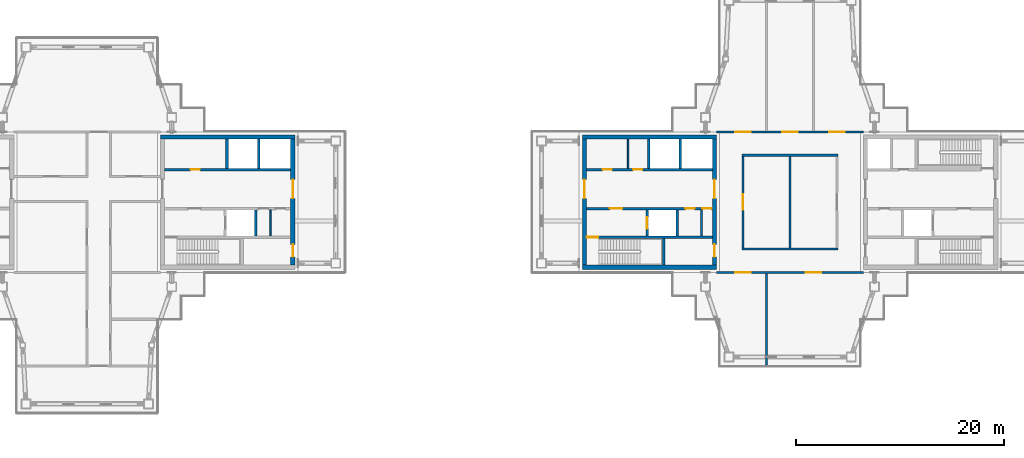
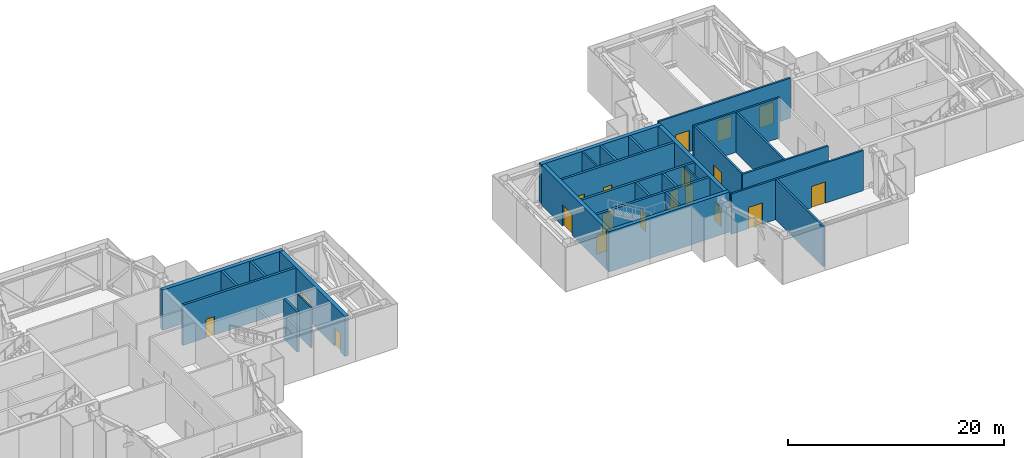
# One storey, part 8 of 18: 28 walls, 19 doors, 19 openings.
"""IFC4 building model written with IfcOpenShell, lengths in metres."""

from ifc_helpers import new_model, si_unit, direction, frame, frame_2d, origin, place, context, subcontext, project, spatial, rectangle, extrude, material, layer, layer_set, type_object, element, fill, save


model = new_model("IFC4")

# Units and contexts
model_context = context("Model", 3, precision=1e-05, world=origin(), true_north=direction((0.0, 1.0)))
body_context = subcontext(model_context, "Body", "Model", "MODEL_VIEW")
ifc_project = project(units=[si_unit("LENGTHUNIT", "METRE"), si_unit("AREAUNIT", "SQUARE_METRE"), si_unit("VOLUMEUNIT", "CUBIC_METRE"), si_unit("PLANEANGLEUNIT", "RADIAN"), si_unit("MASSUNIT", "GRAM", prefix="KILO")], contexts=[model_context])

# Site, building, storey
site_placement = place(None, origin())
site = spatial("IfcSite", under=ifc_project, at=site_placement, CompositionType="ELEMENT")
building_placement = place(site_placement, origin())
building = spatial("IfcBuilding", under=site, at=building_placement, Name="Shamsa Quay Exchange Towers", CompositionType="ELEMENT")
storey_placement = place(building_placement, frame((0.0, 0.0, 273.300048828125)))
storey = spatial("IfcBuildingStorey", under=building, at=storey_placement, Name="L66", CompositionType="ELEMENT", Elevation=273.300048828125)

# Wall
ifc_material_1 = material(Name="Concrete C60/75", Category="concrete")
ifc_layer_1 = layer(ifc_material_1, 0.39990234375)
ifc_layer_set_1 = layer_set([ifc_layer_1], Name="CORE WALL 400 C60/75")
wall_type_1 = type_object("IfcWallType", Name="CORE WALL 400 C60/75", PredefinedType="SHEAR", material=ifc_layer_set_1)
wall_1_placement = place(storey_placement, frame((-26.699951171875, 6.25, 0.0)))
element("IfcWall", 1, at=wall_1_placement, inside=storey, type_object=wall_type_1, Name="Core wall T1A-L66-PN", PredefinedType="SHEAR", context=body_context, shape_type="SweptSolid", body=[
    extrude(rectangle(XDim=12.89990234375, YDim=0.39990234375, at=frame_2d((6.449951171875, 0.0))), origin(), (0.0, 0.0, 1.0), 4.550048828125),
])

# Wall, openings, doors
wall_2_placement = place(storey_placement, frame((-14.0, 6.050048828125, 0.0), z_axis=(0.0, 0.0, 1.0), x_axis=(0.0, -1.0, 0.0)))
wall_2 = element("IfcWall", 2, at=wall_2_placement, inside=storey, type_object=wall_type_1, Name="Core wall T1A-L66-PB", PredefinedType="SHEAR", context=body_context, shape_type="SweptSolid", body=[
    extrude(rectangle(XDim=12.10009765625, YDim=0.39990234375, at=frame_2d((6.050048828125, 0.0))), origin(), (0.0, 0.0, 1.0), 4.550048828125),
])
opening_1_placement = place(wall_2_placement, frame((10.10009765625, 0.0, 0.0)))
opening_1 = element("IfcOpeningElement", 3, at=opening_1_placement, cuts=wall_2, Name="Opening T1A-L66-RD02", PredefinedType="OPENING", context=body_context, shape_type="SweptSolid", body=[
    extrude(rectangle(XDim=1.199951171875, YDim=2.10009765625, at=frame_2d((0.60009765625, 1.050048828125))), frame((0.0, 0.2099609375, 0.0), z_axis=(0.0, -1.0, 0.0), x_axis=(1.0, 0.0, 0.0)), (0.0, 0.0, 1.0), 0.419921875),
])
opening_2_placement = place(wall_2_placement, frame((3.89990234375, 0.0, 0.0)))
opening_2 = element("IfcOpeningElement", 4, at=opening_2_placement, cuts=wall_2, Name="Opening T1A-L66-LBD03", PredefinedType="OPENING", context=body_context, shape_type="SweptSolid", body=[
    extrude(rectangle(XDim=1.800048828125, YDim=2.39990234375, at=frame_2d((0.89990234375, 1.199951171875))), frame((0.0, 0.2099609375, 0.0), z_axis=(0.0, -1.0, 0.0), x_axis=(1.0, 0.0, 0.0)), (0.0, 0.0, 1.0), 0.419921875),
])
ifc_material_2 = material(Name="Steel, fire rated", Category="steel")
door_type_1 = type_object("IfcDoorType", Name="LIFT LOBBY DOOR PAIR 1800", OperationType="DOUBLE_DOOR_SINGLE_SWING", PredefinedType="DOOR", material=ifc_material_2)
door_1_placement = place(opening_2_placement, origin())
door_1 = element("IfcDoor", 5, at=door_1_placement, inside=storey, type_object=door_type_1, Name="T1A-L66-LBD03", OperationType="DOUBLE_DOOR_SINGLE_SWING", OverallHeight=2.39990234375, OverallWidth=1.800048828125, PredefinedType="DOOR", context=body_context, shape_type="SweptSolid", body=[
    extrude(rectangle(XDim=1.800048828125, YDim=2.39990234375, at=frame_2d((0.89990234375, 1.199951171875))), frame((0.0, 0.02490234375, 0.0), z_axis=(0.0, -1.0, 0.0), x_axis=(1.0, 0.0, 0.0)), (0.0, 0.0, 1.0), 0.050048828125),
])
fill(opening_2, door_1)
door_type_2 = type_object("IfcDoorType", Name="RISER ACCESS DOOR 1200", OperationType="SINGLE_SWING_LEFT", PredefinedType="DOOR", material=ifc_material_2)
door_2_placement = place(opening_1_placement, origin())
door_2 = element("IfcDoor", 6, at=door_2_placement, inside=storey, type_object=door_type_2, Name="T1A-L66-RD02", OperationType="SINGLE_SWING_RIGHT", OverallHeight=2.10009765625, OverallWidth=1.199951171875, PredefinedType="DOOR", context=body_context, shape_type="SweptSolid", body=[
    extrude(rectangle(XDim=1.199951171875, YDim=2.10009765625, at=frame_2d((0.60009765625, 1.050048828125))), frame((0.0, 0.02490234375, 0.0), z_axis=(0.0, -1.0, 0.0), x_axis=(1.0, 0.0, 0.0)), (0.0, 0.0, 1.0), 0.050048828125),
])
fill(opening_1, door_2)

# Walls
for number, where, name in (
    (7, (13.800048828125, -6.25, 0.0), "Core wall T2A-L66-PS"),
    (8, (13.800048828125, 6.25, 0.0), "Core wall T2A-L66-PN"),
):
    element("IfcWall", number, at=place(storey_placement, frame(where)), inside=storey, type_object=wall_type_1, Name=name, PredefinedType="SHEAR", context=body_context, shape_type="SweptSolid", body=[
        extrude(rectangle(XDim=12.89990234375, YDim=0.39990234375, at=frame_2d((6.449951171875, 0.0))), origin(), (0.0, 0.0, 1.0), 4.550048828125),
    ])

# Wall, opening, door
wall_3_placement = place(storey_placement, frame((14.0, 6.050048828125, 0.0), z_axis=(0.0, 0.0, 1.0), x_axis=(0.0, -1.0, 0.0)))
wall_3 = element("IfcWall", 9, at=wall_3_placement, inside=storey, type_object=wall_type_1, Name="Core wall T2A-L66-PF", PredefinedType="SHEAR", context=body_context, shape_type="SweptSolid", body=[
    extrude(rectangle(XDim=12.10009765625, YDim=0.39990234375, at=frame_2d((6.050048828125, 0.0))), origin(), (0.0, 0.0, 1.0), 4.550048828125),
])
opening_3_placement = place(wall_3_placement, frame((3.89990234375, 0.0, 0.0)))
opening_3 = element("IfcOpeningElement", 10, at=opening_3_placement, cuts=wall_3, Name="Opening T2A-L66-LBD01", PredefinedType="OPENING", context=body_context, shape_type="SweptSolid", body=[
    extrude(rectangle(XDim=1.800048828125, YDim=2.39990234375, at=frame_2d((0.89990234375, 1.199951171875))), frame((0.0, 0.2099609375, 0.0), z_axis=(0.0, -1.0, 0.0), x_axis=(1.0, 0.0, 0.0)), (0.0, 0.0, 1.0), 0.419921875),
])
door_3_placement = place(opening_3_placement, origin())
door_3 = element("IfcDoor", 11, at=door_3_placement, inside=storey, type_object=door_type_1, Name="T2A-L66-LBD01", OperationType="DOUBLE_DOOR_SINGLE_SWING", OverallHeight=2.39990234375, OverallWidth=1.800048828125, PredefinedType="DOOR", context=body_context, shape_type="SweptSolid", body=[
    extrude(rectangle(XDim=1.800048828125, YDim=2.39990234375, at=frame_2d((0.89990234375, 1.199951171875))), frame((0.0, 0.02490234375, 0.0), z_axis=(0.0, -1.0, 0.0), x_axis=(1.0, 0.0, 0.0)), (0.0, 0.0, 1.0), 0.050048828125),
])
fill(opening_3, door_3)

# Wall, openings, doors
wall_4_placement = place(storey_placement, frame((26.5, 6.050048828125, 0.0), z_axis=(0.0, 0.0, 1.0), x_axis=(0.0, -1.0, 0.0)))
wall_4 = element("IfcWall", 12, at=wall_4_placement, inside=storey, type_object=wall_type_1, Name="Core wall T2A-L66-PB", PredefinedType="SHEAR", context=body_context, shape_type="SweptSolid", body=[
    extrude(rectangle(XDim=12.10009765625, YDim=0.39990234375, at=frame_2d((6.050048828125, 0.0))), origin(), (0.0, 0.0, 1.0), 4.550048828125),
])
opening_4_placement = place(wall_4_placement, frame((10.10009765625, 0.0, 0.0)))
opening_4 = element("IfcOpeningElement", 13, at=opening_4_placement, cuts=wall_4, Name="Opening T2A-L66-RD02", PredefinedType="OPENING", context=body_context, shape_type="SweptSolid", body=[
    extrude(rectangle(XDim=1.199951171875, YDim=2.10009765625, at=frame_2d((0.60009765625, 1.050048828125))), frame((0.0, 0.2099609375, 0.0), z_axis=(0.0, -1.0, 0.0), x_axis=(1.0, 0.0, 0.0)), (0.0, 0.0, 1.0), 0.419921875),
])
opening_5_placement = place(wall_4_placement, frame((3.89990234375, 0.0, 0.0)))
opening_5 = element("IfcOpeningElement", 14, at=opening_5_placement, cuts=wall_4, Name="Opening T2A-L66-LBD03", PredefinedType="OPENING", context=body_context, shape_type="SweptSolid", body=[
    extrude(rectangle(XDim=1.800048828125, YDim=2.39990234375, at=frame_2d((0.89990234375, 1.199951171875))), frame((0.0, 0.2099609375, 0.0), z_axis=(0.0, -1.0, 0.0), x_axis=(1.0, 0.0, 0.0)), (0.0, 0.0, 1.0), 0.419921875),
])
door_4_placement = place(opening_5_placement, origin())
door_4 = element("IfcDoor", 15, at=door_4_placement, inside=storey, type_object=door_type_1, Name="T2A-L66-LBD03", OperationType="DOUBLE_DOOR_SINGLE_SWING", OverallHeight=2.39990234375, OverallWidth=1.800048828125, PredefinedType="DOOR", context=body_context, shape_type="SweptSolid", body=[
    extrude(rectangle(XDim=1.800048828125, YDim=2.39990234375, at=frame_2d((0.89990234375, 1.199951171875))), frame((0.0, 0.02490234375, 0.0), z_axis=(0.0, -1.0, 0.0), x_axis=(1.0, 0.0, 0.0)), (0.0, 0.0, 1.0), 0.050048828125),
])
fill(opening_5, door_4)
door_5_placement = place(opening_4_placement, origin())
door_5 = element("IfcDoor", 16, at=door_5_placement, inside=storey, type_object=door_type_2, Name="T2A-L66-RD02", OperationType="SINGLE_SWING_RIGHT", OverallHeight=2.10009765625, OverallWidth=1.199951171875, PredefinedType="DOOR", context=body_context, shape_type="SweptSolid", body=[
    extrude(rectangle(XDim=1.199951171875, YDim=2.10009765625, at=frame_2d((0.60009765625, 1.050048828125))), frame((0.0, 0.02490234375, 0.0), z_axis=(0.0, -1.0, 0.0), x_axis=(1.0, 0.0, 0.0)), (0.0, 0.0, 1.0), 0.050048828125),
])
fill(opening_4, door_5)

# Walls
ifc_material_3 = material(Name="Gypsum board on steel studs, EI 60", Category="steel")
ifc_layer_2 = layer(ifc_material_3, 0.14990234375)
ifc_layer_set_2 = layer_set([ifc_layer_2], Name="FIRE PARTITION 150")
wall_type_2 = type_object("IfcWallType", Name="FIRE PARTITION 150", PredefinedType="PARTITIONING", material=ifc_layer_set_2)
for number, where, z_axis, x_axis, name in (
    (17, (-16.14990234375, -3.25, 0.0), (0.0, 0.0, 1.0), (0.0, 1.0, 0.0), "Partition T1A-L66-EC0"),
    (18, (25.25, -3.25, 0.0), (0.0, 0.0, 1.0), (0.0, 1.0, 0.0), "Partition T2A-L66-EC0"),
):
    element("IfcWall", number, at=place(storey_placement, frame(where, z_axis=z_axis, x_axis=x_axis)), inside=storey, type_object=wall_type_2, Name=name, PredefinedType="PARTITIONING", context=body_context, shape_type="SweptSolid", body=[
        extrude(rectangle(XDim=2.5, YDim=0.14990234375, at=frame_2d((1.25, 0.0))), origin(), (0.0, 0.0, 1.0), 4.550048828125),
    ])
wall_5_placement = place(storey_placement, frame((18.199951171875, 3.25, 0.0), z_axis=(0.0, 0.0, 1.0), x_axis=(0.0, 1.0, 0.0)))
element("IfcWall", 19, at=wall_5_placement, inside=storey, type_object=wall_type_2, Name="Partition T2A-L66-FC0", PredefinedType="PARTITIONING", context=body_context, shape_type="SweptSolid", body=[
    extrude(rectangle(XDim=2.800048828125, YDim=0.14990234375, at=frame_2d((1.39990234375, 0.0))), origin(), (0.0, 0.0, 1.0), 4.550048828125),
])
ifc_material_4 = material(Name="Gypsum board partition on metal studs")
ifc_layer_3 = layer(ifc_material_4, 0.199951171875)
ifc_layer_set_3 = layer_set([ifc_layer_3], Name="Partition 200 mm EI 120")
wall_type_3 = type_object("IfcWallType", Name="Partition 200 mm EI 120", PredefinedType="PARTITIONING", material=ifc_layer_set_3)
wall_6_placement = place(storey_placement, frame((29.14990234375, -4.5, 0.0)))
element("IfcWall", 20, at=wall_6_placement, inside=storey, type_object=wall_type_3, Name="Partition T2-L66-W02", PredefinedType="PARTITIONING", context=body_context, shape_type="SweptSolid", body=[
    extrude(rectangle(XDim=9.2001953125, YDim=0.199951171875, at=frame_2d((4.60009765625, 0.0))), origin(), (0.0, 0.0, 1.0), 4.550048828125),
])
wall_7_placement = place(storey_placement, frame((38.35009765625, 4.5, 0.0), z_axis=(0.0, 0.0, 1.0), x_axis=(-1.0, 0.0, 0.0)))
element("IfcWall", 21, at=wall_7_placement, inside=storey, type_object=wall_type_3, Name="Partition T2-L66-W03", PredefinedType="PARTITIONING", context=body_context, shape_type="SweptSolid", body=[
    extrude(rectangle(XDim=9.2001953125, YDim=0.199951171875, at=frame_2d((4.60009765625, 0.0))), origin(), (0.0, 0.0, 1.0), 4.550048828125),
])

# Wall, opening, door
wall_8_placement = place(storey_placement, frame((29.25, 4.39990234375, 0.0), z_axis=(0.0, 0.0, 1.0), x_axis=(0.0, -1.0, 0.0)))
wall_8 = element("IfcWall", 22, at=wall_8_placement, inside=storey, type_object=wall_type_3, Name="Partition T2-L66-W04", PredefinedType="PARTITIONING", context=body_context, shape_type="SweptSolid", body=[
    extrude(rectangle(XDim=8.7998046875, YDim=0.199951171875, at=frame_2d((4.39990234375, 0.0))), origin(), (0.0, 0.0, 1.0), 4.550048828125),
])
opening_6_placement = place(wall_8_placement, frame((3.64990234375, 0.0, 0.0)))
opening_6 = element("IfcOpeningElement", 23, at=opening_6_placement, cuts=wall_8, Name="Opening T2-L66-D05", PredefinedType="OPENING", context=body_context, shape_type="SweptSolid", body=[
    extrude(rectangle(XDim=1.5, YDim=2.39990234375, at=frame_2d((0.75, 1.199951171875))), frame((0.0, 0.10986328125, 0.0), z_axis=(0.0, -1.0, 0.0), x_axis=(1.0, 0.0, 0.0)), (0.0, 0.0, 1.0), 0.219970703125),
])
ifc_material_5 = material(Name="Timber door leaf in a metal frame", Category="wood")
door_type_3 = type_object("IfcDoorType", Name="Door 1500x2400 FD60 pair", OperationType="NOTDEFINED", PredefinedType="DOOR", material=ifc_material_5)
door_6_placement = place(opening_6_placement, origin())
door_6 = element("IfcDoor", 24, at=door_6_placement, inside=storey, type_object=door_type_3, Name="Door T2-L66-D05", OperationType="DOUBLE_DOOR_SINGLE_SWING", OverallHeight=2.39990234375, OverallWidth=1.5, PredefinedType="DOOR", context=body_context, shape_type="SweptSolid", body=[
    extrude(rectangle(XDim=1.5, YDim=2.39990234375, at=frame_2d((0.75, 1.199951171875))), frame((0.0, 0.02490234375, 0.0), z_axis=(0.0, -1.0, 0.0), x_axis=(1.0, 0.0, 0.0)), (0.0, 0.0, 1.0), 0.050048828125),
])
fill(opening_6, door_6)

# Wall, openings, doors
wall_9_placement = place(storey_placement, frame((26.699951171875, 6.75, 0.0)))
wall_9 = element("IfcWall", 25, at=wall_9_placement, inside=storey, type_object=wall_type_3, Name="Partition T2-L66-W05", PredefinedType="PARTITIONING", context=body_context, shape_type="SweptSolid", body=[
    extrude(rectangle(XDim=14.10009765625, YDim=0.199951171875, at=frame_2d((7.050048828125, 0.0))), origin(), (0.0, 0.0, 1.0), 4.550048828125),
])
opening_7_placement = place(wall_9_placement, frame((10.800048828125, 0.0, 0.0)))
opening_7 = element("IfcOpeningElement", 26, at=opening_7_placement, cuts=wall_9, Name="Opening T2-L66-D01", PredefinedType="OPENING", context=body_context, shape_type="SweptSolid", body=[
    extrude(rectangle(XDim=1.5, YDim=2.39990234375, at=frame_2d((0.75, 1.199951171875))), frame((0.0, 0.10986328125, 0.0), z_axis=(0.0, -1.0, 0.0), x_axis=(1.0, 0.0, 0.0)), (0.0, 0.0, 1.0), 0.219970703125),
])
opening_8_placement = place(wall_9_placement, frame((6.300048828125, 0.0, 0.0)))
opening_8 = element("IfcOpeningElement", 27, at=opening_8_placement, cuts=wall_9, Name="Opening T2-L66-D02", PredefinedType="OPENING", context=body_context, shape_type="SweptSolid", body=[
    extrude(rectangle(XDim=1.5, YDim=2.39990234375, at=frame_2d((0.75, 1.199951171875))), frame((0.0, 0.10986328125, 0.0), z_axis=(0.0, -1.0, 0.0), x_axis=(1.0, 0.0, 0.0)), (0.0, 0.0, 1.0), 0.219970703125),
])
opening_9_placement = place(wall_9_placement, frame((1.800048828125, 0.0, 0.0)))
opening_9 = element("IfcOpeningElement", 28, at=opening_9_placement, cuts=wall_9, Name="Opening T2-L66-D03", PredefinedType="OPENING", context=body_context, shape_type="SweptSolid", body=[
    extrude(rectangle(XDim=1.5, YDim=2.39990234375, at=frame_2d((0.75, 1.199951171875))), frame((0.0, 0.10986328125, 0.0), z_axis=(0.0, -1.0, 0.0), x_axis=(1.0, 0.0, 0.0)), (0.0, 0.0, 1.0), 0.219970703125),
])
door_7_placement = place(opening_7_placement, origin())
door_7 = element("IfcDoor", 29, at=door_7_placement, inside=storey, type_object=door_type_3, Name="Door T2-L66-D01", OperationType="DOUBLE_DOOR_SINGLE_SWING", OverallHeight=2.39990234375, OverallWidth=1.5, PredefinedType="DOOR", context=body_context, shape_type="SweptSolid", body=[
    extrude(rectangle(XDim=1.5, YDim=2.39990234375, at=frame_2d((0.75, 1.199951171875))), frame((0.0, 0.02490234375, 0.0), z_axis=(0.0, -1.0, 0.0), x_axis=(1.0, 0.0, 0.0)), (0.0, 0.0, 1.0), 0.050048828125),
])
fill(opening_7, door_7)
door_8_placement = place(opening_8_placement, origin())
door_8 = element("IfcDoor", 30, at=door_8_placement, inside=storey, type_object=door_type_3, Name="Door T2-L66-D02", OperationType="DOUBLE_DOOR_SINGLE_SWING", OverallHeight=2.39990234375, OverallWidth=1.5, PredefinedType="DOOR", context=body_context, shape_type="SweptSolid", body=[
    extrude(rectangle(XDim=1.5, YDim=2.39990234375, at=frame_2d((0.75, 1.199951171875))), frame((0.0, 0.02490234375, 0.0), z_axis=(0.0, -1.0, 0.0), x_axis=(1.0, 0.0, 0.0)), (0.0, 0.0, 1.0), 0.050048828125),
])
fill(opening_8, door_8)
door_9_placement = place(opening_9_placement, origin())
door_9 = element("IfcDoor", 31, at=door_9_placement, inside=storey, type_object=door_type_3, Name="Door T2-L66-D03", OperationType="DOUBLE_DOOR_SINGLE_SWING", OverallHeight=2.39990234375, OverallWidth=1.5, PredefinedType="DOOR", context=body_context, shape_type="SweptSolid", body=[
    extrude(rectangle(XDim=1.5, YDim=2.39990234375, at=frame_2d((0.75, 1.199951171875))), frame((0.0, 0.02490234375, 0.0), z_axis=(0.0, -1.0, 0.0), x_axis=(1.0, 0.0, 0.0)), (0.0, 0.0, 1.0), 0.050048828125),
])
fill(opening_9, door_9)

wall_10_placement = place(storey_placement, frame((40.800048828125, -6.75, 0.0), z_axis=(0.0, 0.0, 1.0), x_axis=(-1.0, 0.0, 0.0)))
wall_10 = element("IfcWall", 32, at=wall_10_placement, inside=storey, type_object=wall_type_3, Name="Partition T2-L66-W06", PredefinedType="PARTITIONING", context=body_context, shape_type="SweptSolid", body=[
    extrude(rectangle(XDim=14.10009765625, YDim=0.199951171875, at=frame_2d((7.050048828125, 0.0))), origin(), (0.0, 0.0, 1.0), 4.550048828125),
])
opening_10_placement = place(wall_10_placement, frame((10.800048828125, 0.0, 0.0)))
opening_10 = element("IfcOpeningElement", 33, at=opening_10_placement, cuts=wall_10, Name="Opening T2-L66-D06", PredefinedType="OPENING", context=body_context, shape_type="SweptSolid", body=[
    extrude(rectangle(XDim=1.5, YDim=2.39990234375, at=frame_2d((0.75, 1.199951171875))), frame((0.0, 0.10986328125, 0.0), z_axis=(0.0, -1.0, 0.0), x_axis=(1.0, 0.0, 0.0)), (0.0, 0.0, 1.0), 0.219970703125),
])
opening_11_placement = place(wall_10_placement, frame((4.050048828125, 0.0, 0.0)))
opening_11 = element("IfcOpeningElement", 34, at=opening_11_placement, cuts=wall_10, Name="Opening T2-L66-D07", PredefinedType="OPENING", context=body_context, shape_type="SweptSolid", body=[
    extrude(rectangle(XDim=1.5, YDim=2.39990234375, at=frame_2d((0.75, 1.199951171875))), frame((0.0, 0.10986328125, 0.0), z_axis=(0.0, -1.0, 0.0), x_axis=(1.0, 0.0, 0.0)), (0.0, 0.0, 1.0), 0.219970703125),
])
door_10_placement = place(opening_10_placement, origin())
door_10 = element("IfcDoor", 35, at=door_10_placement, inside=storey, type_object=door_type_3, Name="Door T2-L66-D06", OperationType="DOUBLE_DOOR_SINGLE_SWING", OverallHeight=2.39990234375, OverallWidth=1.5, PredefinedType="DOOR", context=body_context, shape_type="SweptSolid", body=[
    extrude(rectangle(XDim=1.5, YDim=2.39990234375, at=frame_2d((0.75, 1.199951171875))), frame((0.0, 0.02490234375, 0.0), z_axis=(0.0, -1.0, 0.0), x_axis=(1.0, 0.0, 0.0)), (0.0, 0.0, 1.0), 0.050048828125),
])
fill(opening_10, door_10)
door_11_placement = place(opening_11_placement, origin())
door_11 = element("IfcDoor", 36, at=door_11_placement, inside=storey, type_object=door_type_3, Name="Door T2-L66-D07", OperationType="DOUBLE_DOOR_SINGLE_SWING", OverallHeight=2.39990234375, OverallWidth=1.5, PredefinedType="DOOR", context=body_context, shape_type="SweptSolid", body=[
    extrude(rectangle(XDim=1.5, YDim=2.39990234375, at=frame_2d((0.75, 1.199951171875))), frame((0.0, 0.02490234375, 0.0), z_axis=(0.0, -1.0, 0.0), x_axis=(1.0, 0.0, 0.0)), (0.0, 0.0, 1.0), 0.050048828125),
])
fill(opening_11, door_11)

# Walls
wall_11_placement = place(storey_placement, frame((33.75, 4.39990234375, 0.0), z_axis=(0.0, 0.0, 1.0), x_axis=(0.0, -1.0, 0.0)))
element("IfcWall", 37, at=wall_11_placement, inside=storey, type_object=wall_type_3, Name="Partition T2-L66-W07", PredefinedType="PARTITIONING", context=body_context, shape_type="SweptSolid", body=[
    extrude(rectangle(XDim=8.7998046875, YDim=0.199951171875, at=frame_2d((4.39990234375, 0.0))), origin(), (0.0, 0.0, 1.0), 4.550048828125),
])
wall_12_placement = place(storey_placement, frame((31.5, -6.85009765625, 0.0), z_axis=(0.0, 0.0, 1.0), x_axis=(0.0, -1.0, 0.0)))
element("IfcWall", 38, at=wall_12_placement, inside=storey, type_object=wall_type_3, Name="Partition T2-L66-W09", PredefinedType="PARTITIONING", context=body_context, shape_type="SweptSolid", body=[
    extrude(rectangle(XDim=8.804931640625, YDim=0.199951171875, at=frame_2d((4.40234375, 0.0))), origin(), (0.0, 0.0, 1.0), 4.550048828125),
])
ifc_material_6 = material(Name="Concrete C50/60", Category="concrete")
ifc_layer_4 = layer(ifc_material_6, 0.25)
ifc_layer_set_4 = layer_set([ifc_layer_4], Name="SHAFT WALL 250 C50/60")
wall_type_4 = type_object("IfcWallType", Name="SHAFT WALL 250 C50/60", PredefinedType="SHEAR", material=ifc_layer_set_4)
wall_13_placement = place(storey_placement, frame((-17.574951171875, -3.25, 0.0), z_axis=(0.0, 0.0, 1.0), x_axis=(0.0, 1.0, 0.0)))
element("IfcWall", 39, at=wall_13_placement, inside=storey, type_object=wall_type_4, Name="Shaft wall T1A-L66-FFB", PredefinedType="SHEAR", context=body_context, shape_type="SweptSolid", body=[
    extrude(rectangle(XDim=2.5, YDim=0.25, at=frame_2d((1.25, 0.0))), origin(), (0.0, 0.0, 1.0), 4.550048828125),
])

# Wall, opening, door
wall_14_placement = place(storey_placement, frame((-26.300048828125, 3.125, 0.0)))
wall_14 = element("IfcWall", 40, at=wall_14_placement, inside=storey, type_object=wall_type_4, Name="Shaft wall T1A-L66-N", PredefinedType="SHEAR", context=body_context, shape_type="SweptSolid", body=[
    extrude(rectangle(XDim=12.10009765625, YDim=0.25, at=frame_2d((6.050048828125, 0.0))), origin(), (0.0, 0.0, 1.0), 4.550048828125),
])
opening_12_placement = place(wall_14_placement, frame((2.47509765625, 0.0, 0.0)))
opening_12 = element("IfcOpeningElement", 41, at=opening_12_placement, cuts=wall_14, Name="Opening T1A-L66-SV09", PredefinedType="OPENING", context=body_context, shape_type="SweptSolid", body=[
    extrude(rectangle(XDim=0.89990234375, YDim=2.10009765625, at=frame_2d((0.449951171875, 1.050048828125))), frame((0.0, 0.135009765625, 0.0), z_axis=(0.0, -1.0, 0.0), x_axis=(1.0, 0.0, 0.0)), (0.0, 0.0, 1.0), 0.27001953125),
])
door_type_4 = type_object("IfcDoorType", Name="SERVICE ROOM DOOR 900", OperationType="SINGLE_SWING_LEFT", PredefinedType="DOOR", material=ifc_material_2)
door_12_placement = place(opening_12_placement, origin())
door_12 = element("IfcDoor", 42, at=door_12_placement, inside=storey, type_object=door_type_4, Name="T1A-L66-SV09", OperationType="SINGLE_SWING_LEFT", OverallHeight=2.10009765625, OverallWidth=0.89990234375, PredefinedType="DOOR", context=body_context, shape_type="SweptSolid", body=[
    extrude(rectangle(XDim=0.89990234375, YDim=2.10009765625, at=frame_2d((0.449951171875, 1.050048828125))), frame((0.0, 0.02490234375, 0.0), z_axis=(0.0, -1.0, 0.0), x_axis=(1.0, 0.0, 0.0)), (0.0, 0.0, 1.0), 0.050048828125),
])
fill(opening_12, door_12)

# Walls
for number, where, z_axis, x_axis, name in (
    (43, (-20.324951171875, 3.25, 0.0), (0.0, 0.0, 1.0), (0.0, 1.0, 0.0), "Shaft wall T1A-L66-D1"),
    (44, (-17.27490234375, 3.25, 0.0), (0.0, 0.0, 1.0), (0.0, 1.0, 0.0), "Shaft wall T1A-L66-D2"),
):
    element("IfcWall", number, at=place(storey_placement, frame(where, z_axis=z_axis, x_axis=x_axis)), inside=storey, type_object=wall_type_4, Name=name, PredefinedType="SHEAR", context=body_context, shape_type="SweptSolid", body=[
        extrude(rectangle(XDim=2.800048828125, YDim=0.25, at=frame_2d((1.39990234375, 0.0))), origin(), (0.0, 0.0, 1.0), 4.550048828125),
    ])

# Wall, opening, door
wall_15_placement = place(storey_placement, frame((26.300048828125, -3.375, 0.0), z_axis=(0.0, 0.0, 1.0), x_axis=(-1.0, 0.0, 0.0)))
wall_15 = element("IfcWall", 45, at=wall_15_placement, inside=storey, type_object=wall_type_4, Name="Shaft wall T2A-L66-STL", PredefinedType="SHEAR", context=body_context, shape_type="SweptSolid", body=[
    extrude(rectangle(XDim=12.10009765625, YDim=0.25, at=frame_2d((6.050048828125, 0.0))), origin(), (0.0, 0.0, 1.0), 4.550048828125),
])
opening_13_placement = place(wall_15_placement, frame((10.949951171875, 0.0, 0.0)))
opening_13 = element("IfcOpeningElement", 46, at=opening_13_placement, cuts=wall_15, Name="Opening T2A-L66-SD04", PredefinedType="OPENING", context=body_context, shape_type="SweptSolid", body=[
    extrude(rectangle(XDim=1.10009765625, YDim=2.10009765625, at=frame_2d((0.550048828125, 1.050048828125))), frame((0.0, 0.135009765625, 0.0), z_axis=(0.0, -1.0, 0.0), x_axis=(1.0, 0.0, 0.0)), (0.0, 0.0, 1.0), 0.27001953125),
])
door_type_5 = type_object("IfcDoorType", Name="STAIR DOOR 1100", OperationType="SINGLE_SWING_LEFT", PredefinedType="DOOR", material=ifc_material_2)
door_13_placement = place(opening_13_placement, origin())
door_13 = element("IfcDoor", 47, at=door_13_placement, inside=storey, type_object=door_type_5, Name="T2A-L66-SD04", OperationType="SINGLE_SWING_RIGHT", OverallHeight=2.10009765625, OverallWidth=1.10009765625, PredefinedType="DOOR", context=body_context, shape_type="SweptSolid", body=[
    extrude(rectangle(XDim=1.10009765625, YDim=2.10009765625, at=frame_2d((0.550048828125, 1.050048828125))), frame((0.0, 0.02490234375, 0.0), z_axis=(0.0, -1.0, 0.0), x_axis=(1.0, 0.0, 0.0)), (0.0, 0.0, 1.0), 0.050048828125),
])
fill(opening_13, door_13)

# Wall
wall_16_placement = place(storey_placement, frame((21.625, -6.050048828125, 0.0), z_axis=(0.0, 0.0, 1.0), x_axis=(0.0, 1.0, 0.0)))
element("IfcWall", 48, at=wall_16_placement, inside=storey, type_object=wall_type_4, Name="Shaft wall T2A-L66-STF", PredefinedType="SHEAR", context=body_context, shape_type="SweptSolid", body=[
    extrude(rectangle(XDim=2.550048828125, YDim=0.25, at=frame_2d((1.27490234375, 0.0))), origin(), (0.0, 0.0, 1.0), 4.550048828125),
])

# Wall, openings, doors
wall_17_placement = place(storey_placement, frame((26.300048828125, -0.625, 0.0), z_axis=(0.0, 0.0, 1.0), x_axis=(-1.0, 0.0, 0.0)))
wall_17 = element("IfcWall", 49, at=wall_17_placement, inside=storey, type_object=wall_type_4, Name="Shaft wall T2A-L66-B", PredefinedType="SHEAR", context=body_context, shape_type="SweptSolid", body=[
    extrude(rectangle(XDim=12.10009765625, YDim=0.25, at=frame_2d((6.050048828125, 0.0))), origin(), (0.0, 0.0, 1.0), 4.550048828125),
])
opening_14_placement = place(wall_17_placement, frame((8.64990234375, 0.0, 0.0)))
opening_14 = element("IfcOpeningElement", 50, at=opening_14_placement, cuts=wall_17, Name="Opening T2A-L66-FD05", PredefinedType="OPENING", context=body_context, shape_type="SweptSolid", body=[
    extrude(rectangle(XDim=1.199951171875, YDim=2.10009765625, at=frame_2d((0.60009765625, 1.050048828125))), frame((0.0, 0.135009765625, 0.0), z_axis=(0.0, -1.0, 0.0), x_axis=(1.0, 0.0, 0.0)), (0.0, 0.0, 1.0), 0.27001953125),
])
opening_15_placement = place(wall_17_placement, frame((1.699951171875, 0.0, 0.0)))
opening_15 = element("IfcOpeningElement", 51, at=opening_15_placement, cuts=wall_17, Name="Opening T2A-L66-SV06", PredefinedType="OPENING", context=body_context, shape_type="SweptSolid", body=[
    extrude(rectangle(XDim=0.89990234375, YDim=2.10009765625, at=frame_2d((0.449951171875, 1.050048828125))), frame((0.0, 0.135009765625, 0.0), z_axis=(0.0, -1.0, 0.0), x_axis=(1.0, 0.0, 0.0)), (0.0, 0.0, 1.0), 0.27001953125),
])
opening_16_placement = place(wall_17_placement, frame((0.074951171875, 0.0, 0.0)))
opening_16 = element("IfcOpeningElement", 52, at=opening_16_placement, cuts=wall_17, Name="Opening T2A-L66-SV07", PredefinedType="OPENING", context=body_context, shape_type="SweptSolid", body=[
    extrude(rectangle(XDim=0.89990234375, YDim=2.10009765625, at=frame_2d((0.449951171875, 1.050048828125))), frame((0.0, 0.135009765625, 0.0), z_axis=(0.0, -1.0, 0.0), x_axis=(1.0, 0.0, 0.0)), (0.0, 0.0, 1.0), 0.27001953125),
])
door_type_6 = type_object("IfcDoorType", Name="FIRE SERVICE LOBBY DOOR 1200", OperationType="SINGLE_SWING_LEFT", PredefinedType="DOOR", material=ifc_material_2)
door_14_placement = place(opening_14_placement, origin())
door_14 = element("IfcDoor", 53, at=door_14_placement, inside=storey, type_object=door_type_6, Name="T2A-L66-FD05", OperationType="SINGLE_SWING_RIGHT", OverallHeight=2.10009765625, OverallWidth=1.199951171875, PredefinedType="DOOR", context=body_context, shape_type="SweptSolid", body=[
    extrude(rectangle(XDim=1.199951171875, YDim=2.10009765625, at=frame_2d((0.60009765625, 1.050048828125))), frame((0.0, 0.02490234375, 0.0), z_axis=(0.0, -1.0, 0.0), x_axis=(1.0, 0.0, 0.0)), (0.0, 0.0, 1.0), 0.050048828125),
])
fill(opening_14, door_14)
door_15_placement = place(opening_15_placement, origin())
door_15 = element("IfcDoor", 54, at=door_15_placement, inside=storey, type_object=door_type_4, Name="T2A-L66-SV06", OperationType="SINGLE_SWING_LEFT", OverallHeight=2.10009765625, OverallWidth=0.89990234375, PredefinedType="DOOR", context=body_context, shape_type="SweptSolid", body=[
    extrude(rectangle(XDim=0.89990234375, YDim=2.10009765625, at=frame_2d((0.449951171875, 1.050048828125))), frame((0.0, 0.02490234375, 0.0), z_axis=(0.0, -1.0, 0.0), x_axis=(1.0, 0.0, 0.0)), (0.0, 0.0, 1.0), 0.050048828125),
])
fill(opening_15, door_15)
door_16_placement = place(opening_16_placement, origin())
door_16 = element("IfcDoor", 55, at=door_16_placement, inside=storey, type_object=door_type_4, Name="T2A-L66-SV07", OperationType="SINGLE_SWING_LEFT", OverallHeight=2.10009765625, OverallWidth=0.89990234375, PredefinedType="DOOR", context=body_context, shape_type="SweptSolid", body=[
    extrude(rectangle(XDim=0.89990234375, YDim=2.10009765625, at=frame_2d((0.449951171875, 1.050048828125))), frame((0.0, 0.02490234375, 0.0), z_axis=(0.0, -1.0, 0.0), x_axis=(1.0, 0.0, 0.0)), (0.0, 0.0, 1.0), 0.050048828125),
])
fill(opening_16, door_16)

# Wall, opening, door
wall_18_placement = place(storey_placement, frame((20.02490234375, -3.25, 0.0), z_axis=(0.0, 0.0, 1.0), x_axis=(0.0, 1.0, 0.0)))
wall_18 = element("IfcWall", 56, at=wall_18_placement, inside=storey, type_object=wall_type_4, Name="Shaft wall T2A-L66-FFF", PredefinedType="SHEAR", context=body_context, shape_type="SweptSolid", body=[
    extrude(rectangle(XDim=2.5, YDim=0.25, at=frame_2d((1.25, 0.0))), origin(), (0.0, 0.0, 1.0), 4.550048828125),
])
opening_17_placement = place(wall_18_placement, frame((0.699951171875, 0.0, 0.0)))
opening_17 = element("IfcOpeningElement", 57, at=opening_17_placement, cuts=wall_18, Name="Opening T2A-L66-LDF08", PredefinedType="OPENING", context=body_context, shape_type="SweptSolid", body=[
    extrude(rectangle(XDim=1.10009765625, YDim=2.10009765625, at=frame_2d((0.550048828125, 1.050048828125))), frame((0.0, 0.135009765625, 0.0), z_axis=(0.0, -1.0, 0.0), x_axis=(1.0, 0.0, 0.0)), (0.0, 0.0, 1.0), 0.27001953125),
])
door_type_7 = type_object("IfcDoorType", Name="FIRE SERVICE LANDING DOOR 1100", OperationType="SLIDING_TO_LEFT", PredefinedType="DOOR", material=ifc_material_2)
door_17_placement = place(opening_17_placement, origin())
door_17 = element("IfcDoor", 58, at=door_17_placement, inside=storey, type_object=door_type_7, Name="T2A-L66-LDF08", OperationType="SLIDING_TO_LEFT", OverallHeight=2.10009765625, OverallWidth=1.10009765625, PredefinedType="DOOR", context=body_context, shape_type="SweptSolid", body=[
    extrude(rectangle(XDim=1.10009765625, YDim=2.10009765625, at=frame_2d((0.550048828125, 1.050048828125))), frame((0.0, 0.02490234375, 0.0), z_axis=(0.0, -1.0, 0.0), x_axis=(1.0, 0.0, 0.0)), (0.0, 0.0, 1.0), 0.050048828125),
])
fill(opening_17, door_17)

# Wall
wall_19_placement = place(storey_placement, frame((22.925048828125, -3.25, 0.0), z_axis=(0.0, 0.0, 1.0), x_axis=(0.0, 1.0, 0.0)))
element("IfcWall", 59, at=wall_19_placement, inside=storey, type_object=wall_type_4, Name="Shaft wall T2A-L66-FFB", PredefinedType="SHEAR", context=body_context, shape_type="SweptSolid", body=[
    extrude(rectangle(XDim=2.5, YDim=0.25, at=frame_2d((1.25, 0.0))), origin(), (0.0, 0.0, 1.0), 4.550048828125),
])

# Wall, openings, doors
wall_20_placement = place(storey_placement, frame((14.199951171875, 3.125, 0.0)))
wall_20 = element("IfcWall", 60, at=wall_20_placement, inside=storey, type_object=wall_type_4, Name="Shaft wall T2A-L66-N", PredefinedType="SHEAR", context=body_context, shape_type="SweptSolid", body=[
    extrude(rectangle(XDim=12.10009765625, YDim=0.25, at=frame_2d((6.050048828125, 0.0))), origin(), (0.0, 0.0, 1.0), 4.550048828125),
])
opening_18_placement = place(wall_20_placement, frame((1.550048828125, 0.0, 0.0)))
opening_18 = element("IfcOpeningElement", 61, at=opening_18_placement, cuts=wall_20, Name="Opening T2A-L66-SV09", PredefinedType="OPENING", context=body_context, shape_type="SweptSolid", body=[
    extrude(rectangle(XDim=0.89990234375, YDim=2.10009765625, at=frame_2d((0.449951171875, 1.050048828125))), frame((0.0, 0.135009765625, 0.0), z_axis=(0.0, -1.0, 0.0), x_axis=(1.0, 0.0, 0.0)), (0.0, 0.0, 1.0), 0.27001953125),
])
opening_19_placement = place(wall_20_placement, frame((4.47509765625, 0.0, 0.0)))
opening_19 = element("IfcOpeningElement", 62, at=opening_19_placement, cuts=wall_20, Name="Opening T2A-L66-SV10", PredefinedType="OPENING", context=body_context, shape_type="SweptSolid", body=[
    extrude(rectangle(XDim=0.89990234375, YDim=2.10009765625, at=frame_2d((0.449951171875, 1.050048828125))), frame((0.0, 0.135009765625, 0.0), z_axis=(0.0, -1.0, 0.0), x_axis=(1.0, 0.0, 0.0)), (0.0, 0.0, 1.0), 0.27001953125),
])
door_18_placement = place(opening_18_placement, origin())
door_18 = element("IfcDoor", 63, at=door_18_placement, inside=storey, type_object=door_type_4, Name="T2A-L66-SV09", OperationType="SINGLE_SWING_LEFT", OverallHeight=2.10009765625, OverallWidth=0.89990234375, PredefinedType="DOOR", context=body_context, shape_type="SweptSolid", body=[
    extrude(rectangle(XDim=0.89990234375, YDim=2.10009765625, at=frame_2d((0.449951171875, 1.050048828125))), frame((0.0, 0.02490234375, 0.0), z_axis=(0.0, -1.0, 0.0), x_axis=(1.0, 0.0, 0.0)), (0.0, 0.0, 1.0), 0.050048828125),
])
fill(opening_18, door_18)
door_19_placement = place(opening_19_placement, origin())
door_19 = element("IfcDoor", 64, at=door_19_placement, inside=storey, type_object=door_type_4, Name="T2A-L66-SV10", OperationType="SINGLE_SWING_LEFT", OverallHeight=2.10009765625, OverallWidth=0.89990234375, PredefinedType="DOOR", context=body_context, shape_type="SweptSolid", body=[
    extrude(rectangle(XDim=0.89990234375, YDim=2.10009765625, at=frame_2d((0.449951171875, 1.050048828125))), frame((0.0, 0.02490234375, 0.0), z_axis=(0.0, -1.0, 0.0), x_axis=(1.0, 0.0, 0.0)), (0.0, 0.0, 1.0), 0.050048828125),
])
fill(opening_19, door_19)

# Walls
for number, where, z_axis, x_axis, name in (
    (65, (20.175048828125, 3.25, 0.0), (0.0, 0.0, 1.0), (0.0, 1.0, 0.0), "Shaft wall T2A-L66-D1"),
    (66, (23.22509765625, 3.25, 0.0), (0.0, 0.0, 1.0), (0.0, 1.0, 0.0), "Shaft wall T2A-L66-D2"),
):
    element("IfcWall", number, at=place(storey_placement, frame(where, z_axis=z_axis, x_axis=x_axis)), inside=storey, type_object=wall_type_4, Name=name, PredefinedType="SHEAR", context=body_context, shape_type="SweptSolid", body=[
        extrude(rectangle(XDim=2.800048828125, YDim=0.25, at=frame_2d((1.39990234375, 0.0))), origin(), (0.0, 0.0, 1.0), 4.550048828125),
    ])

save(model, "model.ifc")
